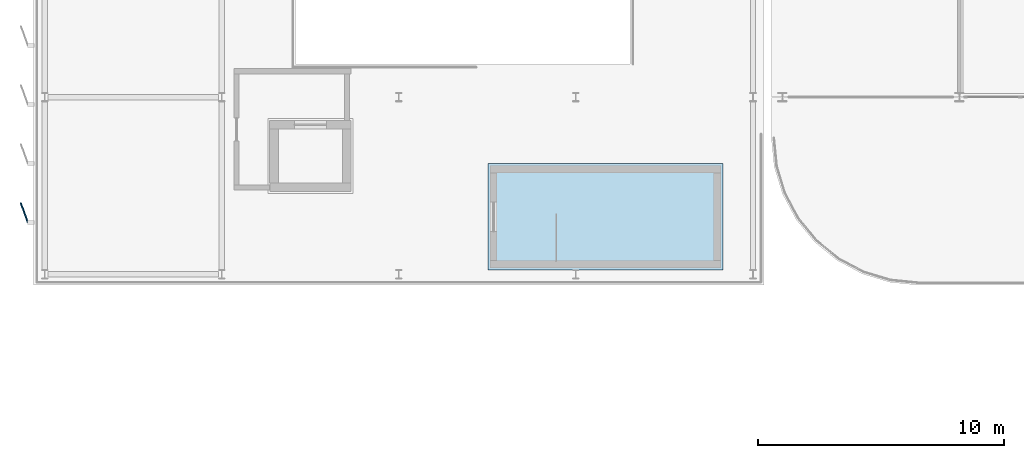
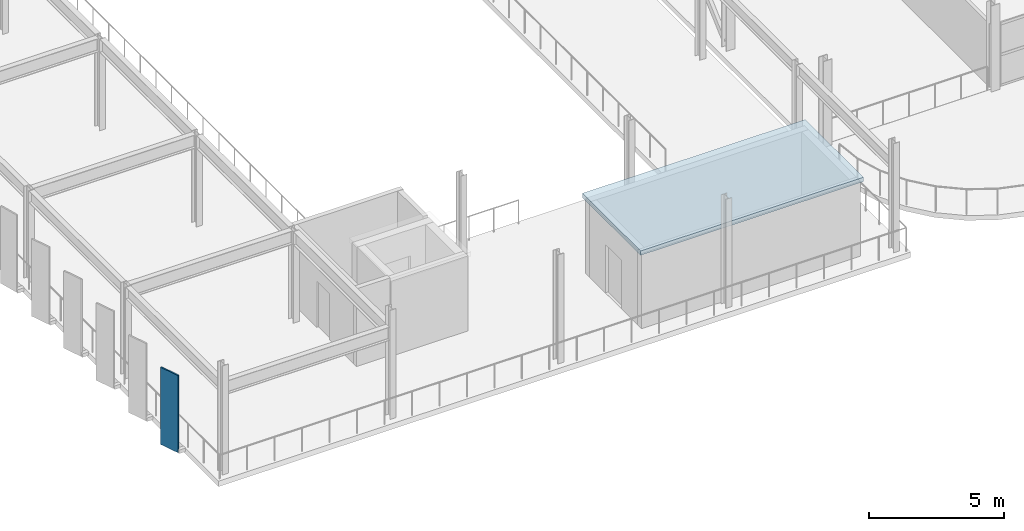
# One storey, part 18 of 40: 1 plate, 1 slab.
"""IFC4 building model written with IfcOpenShell, lengths in metres."""

from ifc_helpers import new_model, si_unit, direction, frame, origin, origin_2d, place, context, subcontext, project, spatial, polyline, rectangle, outline, extrude, material, layer, layer_set, type_object, element, save


model = new_model("IFC4")

# Units and contexts
model_context = context("Model", 3, precision=1e-05, world=origin(), true_north=direction((0.0, 1.0)))
body_context = subcontext(model_context, "Body", "Model", "MODEL_VIEW")
ifc_project = project(units=[si_unit("LENGTHUNIT", "METRE"), si_unit("AREAUNIT", "SQUARE_METRE"), si_unit("VOLUMEUNIT", "CUBIC_METRE"), si_unit("PLANEANGLEUNIT", "RADIAN"), si_unit("MASSUNIT", "GRAM", prefix="KILO")], contexts=[model_context])

# Site, building, storey
site_placement = place(None, origin())
site = spatial("IfcSite", under=ifc_project, at=site_placement, CompositionType="ELEMENT")
building_placement = place(site_placement, origin())
building = spatial("IfcBuilding", under=site, at=building_placement, Name="Vaelcorin Mobility Hub", CompositionType="ELEMENT")
storey_placement = place(building_placement, frame((0.0, 0.0, 17.10009765625)))
storey = spatial("IfcBuildingStorey", under=building, at=storey_placement, Name="L04", CompositionType="ELEMENT", Elevation=17.10009765625)

# Plate
ifc_material_1 = material(Name="Perforated terracotta-bronze aluminium aerofoil", Category="masonry")
ifc_layer_1 = layer(ifc_material_1, 0.06005859375)
ifc_layer_set_1 = layer_set([ifc_layer_1], Name="Perforated terracotta-bronze aluminium aerofoil")
plate_type = type_object("IfcPlateType", Name="PL-FIN-AF1", PredefinedType="SHEET", material=ifc_layer_set_1)
plate_placement = place(storey_placement, frame((5.1650390625, 79.299072265625, -0.16015625), z_axis=(0.0, 0.0, 1.0), x_axis=(-0.342020143326, 0.939692620786, 0.0)))
element("IfcPlate", 1, at=plate_placement, inside=storey, type_object=plate_type, Name="Rotating Terracotta-Bronze Aerofoil Fin FIN-V2W-L04-W-AF-01", PredefinedType="SHEET", context=body_context, shape_type="SweptSolid", body=[
    extrude(rectangle(XDim=0.85009765625, YDim=0.06005859375, at=origin_2d()), origin(), (0.0, 0.0, 1.0), 3.5),
])

# Slab
ifc_material_2 = material(Name="Concrete f'c 35 MPa", Category="concrete")
ifc_layer_2 = layer(ifc_material_2, 0.199951171875)
ifc_layer_set_2 = layer_set([ifc_layer_2], Name="Concrete f'c 35 MPa")
slab_type = type_object("IfcSlabType", Name="SLAB-RF-V4P", PredefinedType="ROOF", material=ifc_layer_set_2)
slab_placement = place(storey_placement, frame((0.0, 0.0, 3.39990234375)))
element("IfcSlab", 2, at=slab_placement, inside=storey, type_object=slab_type, Name="ST1 Stair Headhouse Roof", PredefinedType="ROOF", context=body_context, shape_type="SweptSolid", body=[
    extrude(outline(polyline([(24.02001953125, 76.969970703125), (33.580078125, 76.969970703125), (33.580078125, 81.2900390625), (24.02001953125, 81.2900390625), (24.02001953125, 76.969970703125)])), origin(), (0.0, 0.0, 1.0), 0.199951171875),
])

save(model, "model.ifc")
